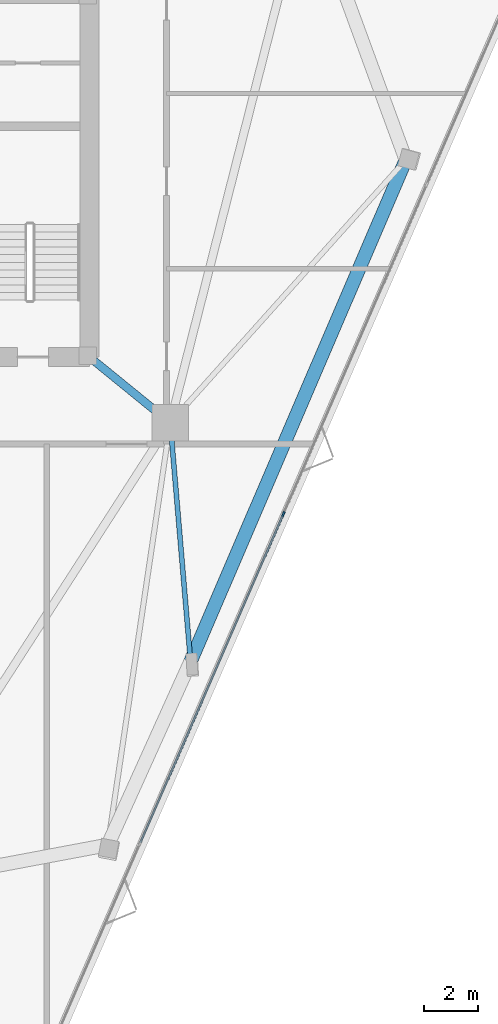
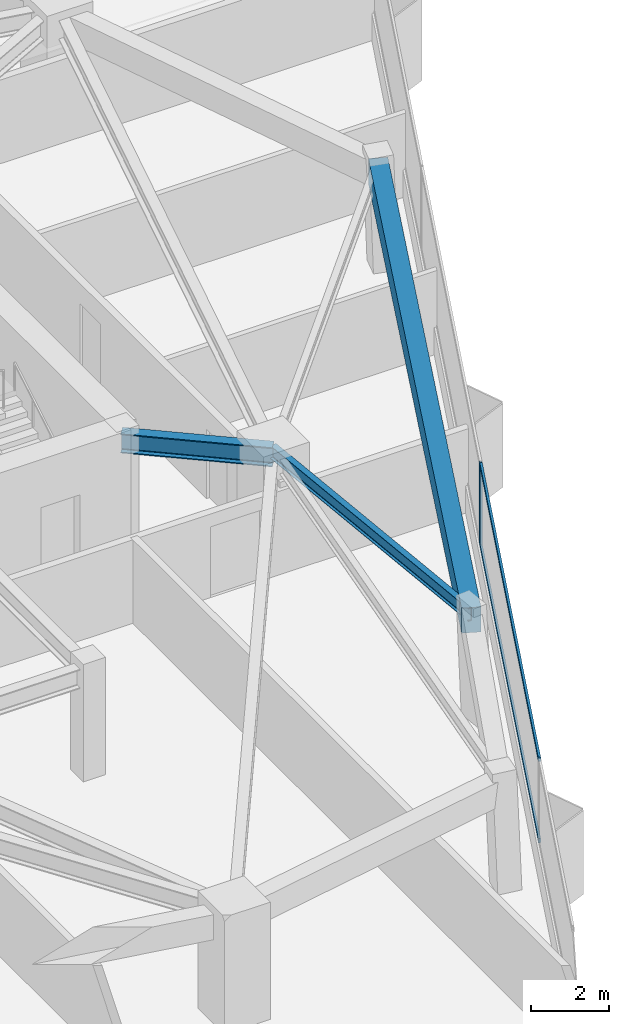
# One storey, part 4 of 13: 3 beams, 3 members, 1 element without a shape of its own.
"""IFC4 building model written with IfcOpenShell, lengths in metres."""

from ifc_helpers import new_model, si_unit, direction, frame, origin, origin_2d, place, context, subcontext, project, spatial, rectangle, i_section, extrude, material, layer, layer_set, material_profile, profile_set, type_object, element, aggregate, save


model = new_model("IFC4")

# Units and contexts
model_context = context("Model", 3, precision=1e-05, world=origin(), true_north=direction((0.0, 1.0)))
body_context = subcontext(model_context, "Body", "Model", "MODEL_VIEW")
ifc_project = project(units=[si_unit("LENGTHUNIT", "METRE"), si_unit("AREAUNIT", "SQUARE_METRE"), si_unit("VOLUMEUNIT", "CUBIC_METRE"), si_unit("PLANEANGLEUNIT", "RADIAN"), si_unit("MASSUNIT", "GRAM", prefix="KILO")], contexts=[model_context])

# Site, building, storey
site_placement = place(None, origin())
site = spatial("IfcSite", under=ifc_project, at=site_placement, CompositionType="ELEMENT")
building_placement = place(site_placement, origin())
building = spatial("IfcBuilding", under=site, at=building_placement, Name="Talyreon Biosciences Tower", CompositionType="ELEMENT")
storey_placement = place(building_placement, frame((0.0, 0.0, 190.35009765625)))
storey = spatial("IfcBuildingStorey", under=building, at=storey_placement, Name="L50", CompositionType="ELEMENT", Elevation=190.35009765625)

# Curtain wall, members
ifc_material_1 = material(Name="Thermally broken aluminium and low-E glazing", Category="aluminium")
ifc_layer = layer(ifc_material_1, 0.179931640625)
ifc_layer_set = layer_set([ifc_layer], Name="Thermally broken aluminium and low-E glazing")
curtain_wall_type = type_object("IfcCurtainWallType", Name="CurtainWall_Zone4Optical", PredefinedType="NOTDEFINED", material=ifc_layer_set)
curtain_wall_placement = place(storey_placement, origin())
curtain_wall = element("IfcCurtainWall", 1, at=curtain_wall_placement, inside=storey, type_object=curtain_wall_type, Name="L50 Unitised Curtain Wall FCW-L50-08", PredefinedType="NOTDEFINED")
ifc_material_2 = material(Name="Anodised thermally broken aluminium", Category="aluminium")
ifc_material_profile_1 = material_profile(ifc_material_2, rectangle(XDim=0.06494140625, YDim=0.179931640625, at=origin_2d()), Name="ALUM MULLION 65x180")
ifc_profile_set_1 = profile_set([ifc_material_profile_1], Name="Anodised thermally broken aluminium")
member_type_1 = type_object("IfcMemberType", Name="CWMullion_65x180", PredefinedType="MULLION", material=ifc_profile_set_1)
member_1_placement = place(storey_placement, frame((81.260498046875, 55.51953125, 0.809814453125), z_axis=(0.0, 0.0, 1.0), x_axis=(0.917010897502, -0.398862148946, 0.0)))
member_1 = element("IfcMember", 2, at=member_1_placement, type_object=member_type_1, Name="CW5 mullion 3", PredefinedType="MULLION", context=body_context, shape_type="SweptSolid", body=[
    extrude(rectangle(XDim=0.06494140625, YDim=0.179931640625, at=origin_2d()), origin(), (0.0, 0.0, 1.0), 2.590087890625),
])
ifc_material_profile_2 = material_profile(ifc_material_2, rectangle(XDim=0.06494140625, YDim=0.139892578125, at=origin_2d()), Name="ALUM TRANSOM 65x140")
ifc_profile_set_2 = profile_set([ifc_material_profile_2], Name="Anodised thermally broken aluminium")
member_type_2 = type_object("IfcMemberType", Name="CWTransom_65x140", PredefinedType="USERDEFINED", material=ifc_profile_set_2)
member_2_placement = place(storey_placement, frame((81.24755859375, 55.48974609375, 0.84228515625), z_axis=(-0.398865642927, -0.917009377756, 0.0), x_axis=(0.917009377756, -0.398865642927, 0.0)))
member_2 = element("IfcMember", 3, at=member_2_placement, type_object=member_type_2, Name="CW5 transom 3.1", ObjectType="TRANSOM", PredefinedType="USERDEFINED", context=body_context, shape_type="SweptSolid", body=[
    extrude(rectangle(XDim=0.06494140625, YDim=0.139892578125, at=origin_2d()), origin(), (0.0, 0.0, 1.0), 13.179443359375),
])
member_3_placement = place(storey_placement, frame((81.24755859375, 55.48974609375, 3.367431640625), z_axis=(-0.398865642927, -0.917009377756, 0.0), x_axis=(0.917009377756, -0.398865642927, 0.0)))
member_3 = element("IfcMember", 4, at=member_3_placement, type_object=member_type_2, Name="CW5 transom 3.2", ObjectType="TRANSOM", PredefinedType="USERDEFINED", context=body_context, shape_type="SweptSolid", body=[
    extrude(rectangle(XDim=0.06494140625, YDim=0.139892578125, at=origin_2d()), origin(), (0.0, 0.0, 1.0), 13.179443359375),
])
aggregate(curtain_wall, [member_1, member_2, member_3])

# Beams
ifc_material_3 = material(Name="Precast concrete C45/55", Category="concrete")
ifc_material_profile_3 = material_profile(ifc_material_3, rectangle(XDim=0.5, YDim=0.780029296875, at=origin_2d()), Name="RCB 500x780")
ifc_profile_set_3 = profile_set([ifc_material_profile_3], Name="Precast concrete C45/55")
beam_type_1 = type_object("IfcBeamType", Name="ExpressedSpandrel_500x780", PredefinedType="SPANDREL", material=ifc_profile_set_3)
beam_1_placement = place(storey_placement, frame((77.835205078125, 50.07666015625, 3.010009765625), z_axis=(0.394305663298, 0.918979349001, 0.0), x_axis=(-0.918979349001, 0.394305663298, 0.0)))
element("IfcBeam", 5, at=beam_1_placement, inside=storey, type_object=beam_type_1, Name="L50 Expressed Horizontal Concrete Spandrel 03", PredefinedType="SPANDREL", context=body_context, shape_type="SweptSolid", body=[
    extrude(rectangle(XDim=0.5, YDim=0.780029296875, at=origin_2d()), origin(), (0.0, 0.0, 1.0), 20.131591796875),
])
ifc_material_4 = material(Name="Steel SM355", Category="steel")
ifc_material_profile_4 = material_profile(ifc_material_4, i_section(OverallWidth=0.300048828125, OverallDepth=0.60009765625, WebThickness=0.015380859375, FlangeThickness=0.030029296875, FilletRadius=0.027099609375, at=origin_2d()), Name="HE600B")
ifc_profile_set_4 = profile_set([ifc_material_profile_4], Name="Steel SM355")
beam_type_2 = type_object("IfcBeamType", Name="SteelBeam_HE600B", PredefinedType="BEAM", material=ifc_profile_set_4)
beam_2_placement = place(storey_placement, frame((74.050048828125, 61.35009765625, 3.099853515625), z_axis=(0.775755154013, -0.631034025249, 0.0), x_axis=(0.631034025249, 0.775755154013, 0.0)))
element("IfcBeam", 6, at=beam_2_placement, inside=storey, type_object=beam_type_2, Name="L50 Radial Primary Girder 2", PredefinedType="BEAM", context=body_context, shape_type="SweptSolid", body=[
    extrude(i_section(OverallWidth=0.300048828125, OverallDepth=0.60009765625, WebThickness=0.015380859375, FlangeThickness=0.030029296875, FilletRadius=0.027099609375, at=origin_2d()), origin(), (0.0, 0.0, 1.0), 3.913818359375),
])
ifc_material_profile_5 = material_profile(ifc_material_4, i_section(OverallWidth=0.179931640625, OverallDepth=0.39990234375, WebThickness=0.008544921875, FlangeThickness=0.013427734375, FilletRadius=0.02099609375, at=origin_2d()), Name="IPE400")
ifc_profile_set_5 = profile_set([ifc_material_profile_5], Name="Steel SM355")
beam_type_3 = type_object("IfcBeamType", Name="SteelJoist_IPE400", PredefinedType="JOIST", material=ifc_profile_set_5)
beam_3_placement = place(storey_placement, frame((77.086181640625, 58.88037109375, 3.199951171875), z_axis=(0.084774148387, -0.996400192576, 0.0), x_axis=(0.996400192576, 0.084774148387, 0.0)))
element("IfcBeam", 7, at=beam_3_placement, inside=storey, type_object=beam_type_3, Name="L50 Radial Composite Floor Joist PL-SE", PredefinedType="JOIST", context=body_context, shape_type="SweptSolid", body=[
    extrude(i_section(OverallWidth=0.179931640625, OverallDepth=0.39990234375, WebThickness=0.008544921875, FlangeThickness=0.013427734375, FilletRadius=0.02099609375, at=origin_2d()), origin(), (0.0, 0.0, 1.0), 8.83544921875),
])

save(model, "model.ifc")
